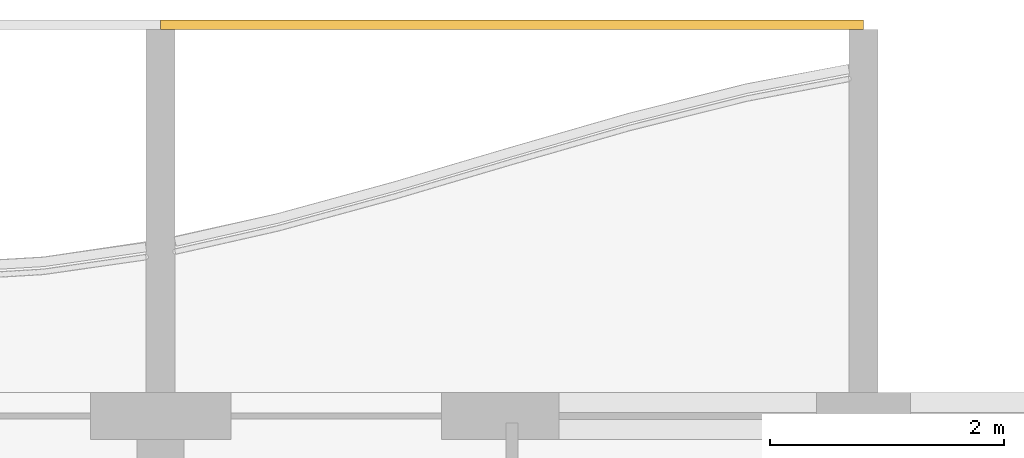
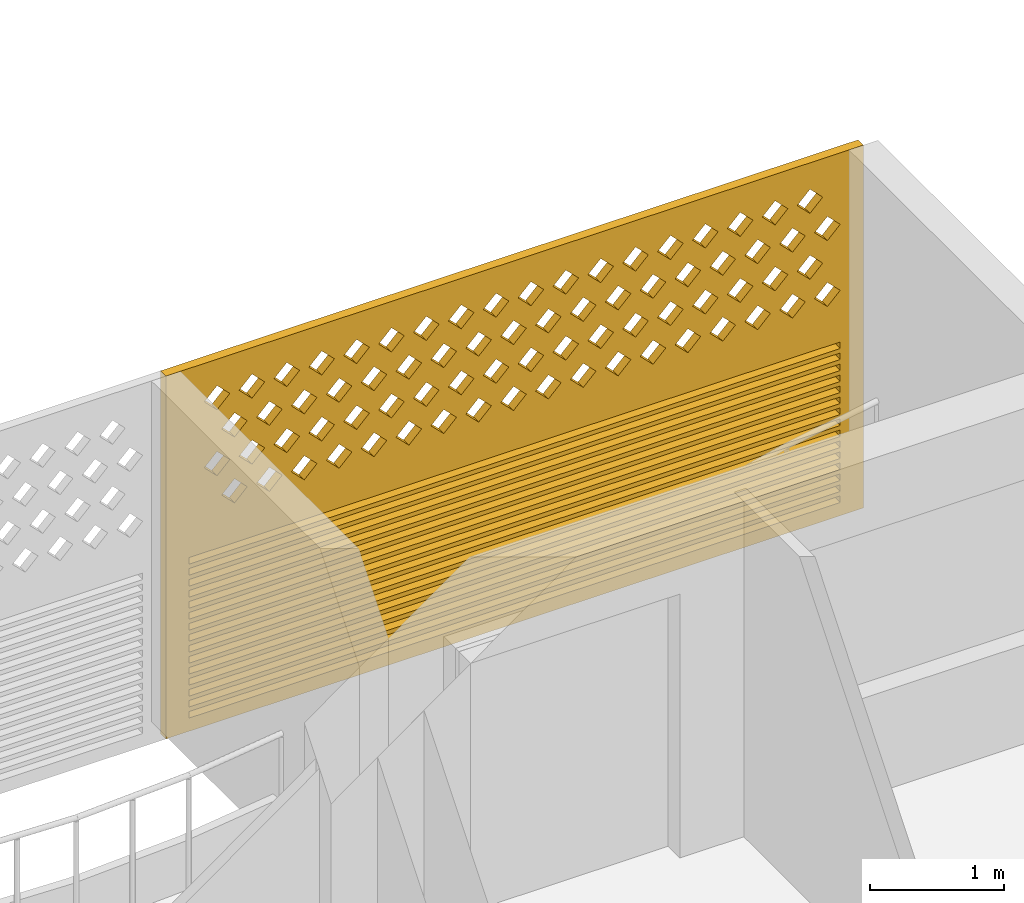
# One storey, part 34 of 38: 1 covering.
"""IFC4 building model written with IfcOpenShell, lengths in metres."""

from ifc_helpers import new_model, si_unit, direction, frame, origin, place, context, subcontext, project, spatial, polyline, outline, extrude, source, transform, mapped, material, material_profile, profile_set, type_object, element, save


model = new_model("IFC4")

# Units and contexts
model_context = context("Model", 3, precision=1e-05, world=origin(), true_north=direction((0.0, 1.0)))
body_context = subcontext(model_context, "Body", "Model", "MODEL_VIEW")
ifc_project = project(units=[si_unit("LENGTHUNIT", "METRE"), si_unit("AREAUNIT", "SQUARE_METRE"), si_unit("VOLUMEUNIT", "CUBIC_METRE"), si_unit("PLANEANGLEUNIT", "RADIAN"), si_unit("MASSUNIT", "GRAM", prefix="KILO")], contexts=[model_context])

# Site, building, storey
site_placement = place(None, origin())
site = spatial("IfcSite", under=ifc_project, at=site_placement, CompositionType="ELEMENT")
building_placement = place(site_placement, origin())
building = spatial("IfcBuilding", under=site, at=building_placement, Name="Poui Terraces", CompositionType="ELEMENT")
storey_placement = place(building_placement, frame((0.0, 0.0, 43.199951171875)))
storey = spatial("IfcBuildingStorey", under=building, at=storey_placement, Name="L11", CompositionType="ELEMENT", Elevation=43.199951171875)

# Covering
ifc_material = material(Name="Terracotta screen", Category="masonry")
ifc_material_profile = material_profile(ifc_material, outline(polyline([(-3.0, -1.64990234375), (3.0, -1.64990234375), (3.0, 1.64990234375), (-3.0, 1.64990234375), (-3.0, -1.64990234375)]), holes=[polyline([(-2.800048828125, 0.39990234375), (-2.68994140625, 0.2900390625), (-2.580078125, 0.39990234375), (-2.68994140625, 0.510009765625), (-2.800048828125, 0.39990234375)]), polyline([(-2.5, 0.39990234375), (-2.389892578125, 0.2900390625), (-2.280029296875, 0.39990234375), (-2.389892578125, 0.510009765625), (-2.5, 0.39990234375)]), polyline([(-2.199951171875, 0.39990234375), (-2.090087890625, 0.2900390625), (-1.97998046875, 0.39990234375), (-2.090087890625, 0.510009765625), (-2.199951171875, 0.39990234375)]), polyline([(-1.89990234375, 0.39990234375), (-1.7900390625, 0.2900390625), (-1.679931640625, 0.39990234375), (-1.7900390625, 0.510009765625), (-1.89990234375, 0.39990234375)]), polyline([(-1.60009765625, 0.39990234375), (-1.489990234375, 0.2900390625), (-1.3798828125, 0.39990234375), (-1.489990234375, 0.510009765625), (-1.60009765625, 0.39990234375)]), polyline([(-1.300048828125, 0.39990234375), (-1.18994140625, 0.2900390625), (-1.080078125, 0.39990234375), (-1.18994140625, 0.510009765625), (-1.300048828125, 0.39990234375)]), polyline([(-1.0, 0.39990234375), (-0.889892578125, 0.2900390625), (-0.780029296875, 0.39990234375), (-0.889892578125, 0.510009765625), (-1.0, 0.39990234375)]), polyline([(-0.699951171875, 0.39990234375), (-0.590087890625, 0.2900390625), (-0.47998046875, 0.39990234375), (-0.590087890625, 0.510009765625), (-0.699951171875, 0.39990234375)]), polyline([(-0.39990234375, 0.39990234375), (-0.2900390625, 0.2900390625), (-0.179931640625, 0.39990234375), (-0.2900390625, 0.510009765625), (-0.39990234375, 0.39990234375)]), polyline([(-0.10009765625, 0.39990234375), (0.010009765625, 0.2900390625), (0.1201171875, 0.39990234375), (0.010009765625, 0.510009765625), (-0.10009765625, 0.39990234375)]), polyline([(0.199951171875, 0.39990234375), (0.31005859375, 0.2900390625), (0.419921875, 0.39990234375), (0.31005859375, 0.510009765625), (0.199951171875, 0.39990234375)]), polyline([(0.5, 0.39990234375), (0.610107421875, 0.2900390625), (0.719970703125, 0.39990234375), (0.610107421875, 0.510009765625), (0.5, 0.39990234375)]), polyline([(0.800048828125, 0.39990234375), (0.909912109375, 0.2900390625), (1.02001953125, 0.39990234375), (0.909912109375, 0.510009765625), (0.800048828125, 0.39990234375)]), polyline([(1.10009765625, 0.39990234375), (1.2099609375, 0.2900390625), (1.320068359375, 0.39990234375), (1.2099609375, 0.510009765625), (1.10009765625, 0.39990234375)]), polyline([(1.39990234375, 0.39990234375), (1.510009765625, 0.2900390625), (1.6201171875, 0.39990234375), (1.510009765625, 0.510009765625), (1.39990234375, 0.39990234375)]), polyline([(1.699951171875, 0.39990234375), (1.81005859375, 0.2900390625), (1.919921875, 0.39990234375), (1.81005859375, 0.510009765625), (1.699951171875, 0.39990234375)]), polyline([(2.0, 0.39990234375), (2.110107421875, 0.2900390625), (2.219970703125, 0.39990234375), (2.110107421875, 0.510009765625), (2.0, 0.39990234375)]), polyline([(2.300048828125, 0.39990234375), (2.409912109375, 0.2900390625), (2.52001953125, 0.39990234375), (2.409912109375, 0.510009765625), (2.300048828125, 0.39990234375)]), polyline([(-2.64990234375, 0.699951171875), (-2.5400390625, 0.590087890625), (-2.429931640625, 0.699951171875), (-2.5400390625, 0.81005859375), (-2.64990234375, 0.699951171875)]), polyline([(-2.35009765625, 0.699951171875), (-2.239990234375, 0.590087890625), (-2.1298828125, 0.699951171875), (-2.239990234375, 0.81005859375), (-2.35009765625, 0.699951171875)]), polyline([(-2.050048828125, 0.699951171875), (-1.93994140625, 0.590087890625), (-1.830078125, 0.699951171875), (-1.93994140625, 0.81005859375), (-2.050048828125, 0.699951171875)]), polyline([(-1.75, 0.699951171875), (-1.639892578125, 0.590087890625), (-1.530029296875, 0.699951171875), (-1.639892578125, 0.81005859375), (-1.75, 0.699951171875)]), polyline([(-1.449951171875, 0.699951171875), (-1.340087890625, 0.590087890625), (-1.22998046875, 0.699951171875), (-1.340087890625, 0.81005859375), (-1.449951171875, 0.699951171875)]), polyline([(-1.14990234375, 0.699951171875), (-1.0400390625, 0.590087890625), (-0.929931640625, 0.699951171875), (-1.0400390625, 0.81005859375), (-1.14990234375, 0.699951171875)]), polyline([(-0.85009765625, 0.699951171875), (-0.739990234375, 0.590087890625), (-0.6298828125, 0.699951171875), (-0.739990234375, 0.81005859375), (-0.85009765625, 0.699951171875)]), polyline([(-0.550048828125, 0.699951171875), (-0.43994140625, 0.590087890625), (-0.330078125, 0.699951171875), (-0.43994140625, 0.81005859375), (-0.550048828125, 0.699951171875)]), polyline([(-0.25, 0.699951171875), (-0.139892578125, 0.590087890625), (-0.030029296875, 0.699951171875), (-0.139892578125, 0.81005859375), (-0.25, 0.699951171875)]), polyline([(0.050048828125, 0.699951171875), (0.159912109375, 0.590087890625), (0.27001953125, 0.699951171875), (0.159912109375, 0.81005859375), (0.050048828125, 0.699951171875)]), polyline([(0.35009765625, 0.699951171875), (0.4599609375, 0.590087890625), (0.570068359375, 0.699951171875), (0.4599609375, 0.81005859375), (0.35009765625, 0.699951171875)]), polyline([(0.64990234375, 0.699951171875), (0.760009765625, 0.590087890625), (0.8701171875, 0.699951171875), (0.760009765625, 0.81005859375), (0.64990234375, 0.699951171875)]), polyline([(0.949951171875, 0.699951171875), (1.06005859375, 0.590087890625), (1.169921875, 0.699951171875), (1.06005859375, 0.81005859375), (0.949951171875, 0.699951171875)]), polyline([(1.25, 0.699951171875), (1.360107421875, 0.590087890625), (1.469970703125, 0.699951171875), (1.360107421875, 0.81005859375), (1.25, 0.699951171875)]), polyline([(1.550048828125, 0.699951171875), (1.659912109375, 0.590087890625), (1.77001953125, 0.699951171875), (1.659912109375, 0.81005859375), (1.550048828125, 0.699951171875)]), polyline([(1.85009765625, 0.699951171875), (1.9599609375, 0.590087890625), (2.070068359375, 0.699951171875), (1.9599609375, 0.81005859375), (1.85009765625, 0.699951171875)]), polyline([(2.14990234375, 0.699951171875), (2.260009765625, 0.590087890625), (2.3701171875, 0.699951171875), (2.260009765625, 0.81005859375), (2.14990234375, 0.699951171875)]), polyline([(2.449951171875, 0.699951171875), (2.56005859375, 0.590087890625), (2.669921875, 0.699951171875), (2.56005859375, 0.81005859375), (2.449951171875, 0.699951171875)]), polyline([(-2.800048828125, 1.0), (-2.68994140625, 0.889892578125), (-2.580078125, 1.0), (-2.68994140625, 1.110107421875), (-2.800048828125, 1.0)]), polyline([(-2.5, 1.0), (-2.389892578125, 0.889892578125), (-2.280029296875, 1.0), (-2.389892578125, 1.110107421875), (-2.5, 1.0)]), polyline([(-2.199951171875, 1.0), (-2.090087890625, 0.889892578125), (-1.97998046875, 1.0), (-2.090087890625, 1.110107421875), (-2.199951171875, 1.0)]), polyline([(-1.89990234375, 1.0), (-1.7900390625, 0.889892578125), (-1.679931640625, 1.0), (-1.7900390625, 1.110107421875), (-1.89990234375, 1.0)]), polyline([(-1.60009765625, 1.0), (-1.489990234375, 0.889892578125), (-1.3798828125, 1.0), (-1.489990234375, 1.110107421875), (-1.60009765625, 1.0)]), polyline([(-1.300048828125, 1.0), (-1.18994140625, 0.889892578125), (-1.080078125, 1.0), (-1.18994140625, 1.110107421875), (-1.300048828125, 1.0)]), polyline([(-1.0, 1.0), (-0.889892578125, 0.889892578125), (-0.780029296875, 1.0), (-0.889892578125, 1.110107421875), (-1.0, 1.0)]), polyline([(-0.699951171875, 1.0), (-0.590087890625, 0.889892578125), (-0.47998046875, 1.0), (-0.590087890625, 1.110107421875), (-0.699951171875, 1.0)]), polyline([(-0.39990234375, 1.0), (-0.2900390625, 0.889892578125), (-0.179931640625, 1.0), (-0.2900390625, 1.110107421875), (-0.39990234375, 1.0)]), polyline([(-0.10009765625, 1.0), (0.010009765625, 0.889892578125), (0.1201171875, 1.0), (0.010009765625, 1.110107421875), (-0.10009765625, 1.0)]), polyline([(0.199951171875, 1.0), (0.31005859375, 0.889892578125), (0.419921875, 1.0), (0.31005859375, 1.110107421875), (0.199951171875, 1.0)]), polyline([(0.5, 1.0), (0.610107421875, 0.889892578125), (0.719970703125, 1.0), (0.610107421875, 1.110107421875), (0.5, 1.0)]), polyline([(0.800048828125, 1.0), (0.909912109375, 0.889892578125), (1.02001953125, 1.0), (0.909912109375, 1.110107421875), (0.800048828125, 1.0)]), polyline([(1.10009765625, 1.0), (1.2099609375, 0.889892578125), (1.320068359375, 1.0), (1.2099609375, 1.110107421875), (1.10009765625, 1.0)]), polyline([(1.39990234375, 1.0), (1.510009765625, 0.889892578125), (1.6201171875, 1.0), (1.510009765625, 1.110107421875), (1.39990234375, 1.0)]), polyline([(1.699951171875, 1.0), (1.81005859375, 0.889892578125), (1.919921875, 1.0), (1.81005859375, 1.110107421875), (1.699951171875, 1.0)]), polyline([(2.0, 1.0), (2.110107421875, 0.889892578125), (2.219970703125, 1.0), (2.110107421875, 1.110107421875), (2.0, 1.0)]), polyline([(2.300048828125, 1.0), (2.409912109375, 0.889892578125), (2.52001953125, 1.0), (2.409912109375, 1.110107421875), (2.300048828125, 1.0)]), polyline([(-2.64990234375, 1.300048828125), (-2.5400390625, 1.18994140625), (-2.429931640625, 1.300048828125), (-2.5400390625, 1.409912109375), (-2.64990234375, 1.300048828125)]), polyline([(-2.35009765625, 1.300048828125), (-2.239990234375, 1.18994140625), (-2.1298828125, 1.300048828125), (-2.239990234375, 1.409912109375), (-2.35009765625, 1.300048828125)]), polyline([(-2.050048828125, 1.300048828125), (-1.93994140625, 1.18994140625), (-1.830078125, 1.300048828125), (-1.93994140625, 1.409912109375), (-2.050048828125, 1.300048828125)]), polyline([(-1.75, 1.300048828125), (-1.639892578125, 1.18994140625), (-1.530029296875, 1.300048828125), (-1.639892578125, 1.409912109375), (-1.75, 1.300048828125)]), polyline([(-1.449951171875, 1.300048828125), (-1.340087890625, 1.18994140625), (-1.22998046875, 1.300048828125), (-1.340087890625, 1.409912109375), (-1.449951171875, 1.300048828125)]), polyline([(-1.14990234375, 1.300048828125), (-1.0400390625, 1.18994140625), (-0.929931640625, 1.300048828125), (-1.0400390625, 1.409912109375), (-1.14990234375, 1.300048828125)]), polyline([(-0.85009765625, 1.300048828125), (-0.739990234375, 1.18994140625), (-0.6298828125, 1.300048828125), (-0.739990234375, 1.409912109375), (-0.85009765625, 1.300048828125)]), polyline([(-0.550048828125, 1.300048828125), (-0.43994140625, 1.18994140625), (-0.330078125, 1.300048828125), (-0.43994140625, 1.409912109375), (-0.550048828125, 1.300048828125)]), polyline([(-0.25, 1.300048828125), (-0.139892578125, 1.18994140625), (-0.030029296875, 1.300048828125), (-0.139892578125, 1.409912109375), (-0.25, 1.300048828125)]), polyline([(0.050048828125, 1.300048828125), (0.159912109375, 1.18994140625), (0.27001953125, 1.300048828125), (0.159912109375, 1.409912109375), (0.050048828125, 1.300048828125)]), polyline([(0.35009765625, 1.300048828125), (0.4599609375, 1.18994140625), (0.570068359375, 1.300048828125), (0.4599609375, 1.409912109375), (0.35009765625, 1.300048828125)]), polyline([(0.64990234375, 1.300048828125), (0.760009765625, 1.18994140625), (0.8701171875, 1.300048828125), (0.760009765625, 1.409912109375), (0.64990234375, 1.300048828125)]), polyline([(0.949951171875, 1.300048828125), (1.06005859375, 1.18994140625), (1.169921875, 1.300048828125), (1.06005859375, 1.409912109375), (0.949951171875, 1.300048828125)]), polyline([(1.25, 1.300048828125), (1.360107421875, 1.18994140625), (1.469970703125, 1.300048828125), (1.360107421875, 1.409912109375), (1.25, 1.300048828125)]), polyline([(1.550048828125, 1.300048828125), (1.659912109375, 1.18994140625), (1.77001953125, 1.300048828125), (1.659912109375, 1.409912109375), (1.550048828125, 1.300048828125)]), polyline([(1.85009765625, 1.300048828125), (1.9599609375, 1.18994140625), (2.070068359375, 1.300048828125), (1.9599609375, 1.409912109375), (1.85009765625, 1.300048828125)]), polyline([(2.14990234375, 1.300048828125), (2.260009765625, 1.18994140625), (2.3701171875, 1.300048828125), (2.260009765625, 1.409912109375), (2.14990234375, 1.300048828125)]), polyline([(2.449951171875, 1.300048828125), (2.56005859375, 1.18994140625), (2.669921875, 1.300048828125), (2.56005859375, 1.409912109375), (2.449951171875, 1.300048828125)]), polyline([(-2.800048828125, -1.530029296875), (2.800048828125, -1.530029296875), (2.800048828125, -1.469970703125), (-2.800048828125, -1.469970703125), (-2.800048828125, -1.530029296875)]), polyline([(-2.800048828125, -1.429931640625), (2.800048828125, -1.429931640625), (2.800048828125, -1.3701171875), (-2.800048828125, -1.3701171875), (-2.800048828125, -1.429931640625)]), polyline([(-2.800048828125, -1.330078125), (2.800048828125, -1.330078125), (2.800048828125, -1.27001953125), (-2.800048828125, -1.27001953125), (-2.800048828125, -1.330078125)]), polyline([(-2.800048828125, -1.22998046875), (2.800048828125, -1.22998046875), (2.800048828125, -1.169921875), (-2.800048828125, -1.169921875), (-2.800048828125, -1.22998046875)]), polyline([(-2.800048828125, -1.1298828125), (2.800048828125, -1.1298828125), (2.800048828125, -1.070068359375), (-2.800048828125, -1.070068359375), (-2.800048828125, -1.1298828125)]), polyline([(-2.800048828125, -1.030029296875), (2.800048828125, -1.030029296875), (2.800048828125, -0.969970703125), (-2.800048828125, -0.969970703125), (-2.800048828125, -1.030029296875)]), polyline([(-2.800048828125, -0.929931640625), (2.800048828125, -0.929931640625), (2.800048828125, -0.8701171875), (-2.800048828125, -0.8701171875), (-2.800048828125, -0.929931640625)]), polyline([(-2.800048828125, -0.830078125), (2.800048828125, -0.830078125), (2.800048828125, -0.77001953125), (-2.800048828125, -0.77001953125), (-2.800048828125, -0.830078125)]), polyline([(-2.800048828125, -0.72998046875), (2.800048828125, -0.72998046875), (2.800048828125, -0.669921875), (-2.800048828125, -0.669921875), (-2.800048828125, -0.72998046875)]), polyline([(-2.800048828125, -0.6298828125), (2.800048828125, -0.6298828125), (2.800048828125, -0.570068359375), (-2.800048828125, -0.570068359375), (-2.800048828125, -0.6298828125)]), polyline([(-2.800048828125, -0.530029296875), (2.800048828125, -0.530029296875), (2.800048828125, -0.469970703125), (-2.800048828125, -0.469970703125), (-2.800048828125, -0.530029296875)]), polyline([(-2.800048828125, -0.429931640625), (2.800048828125, -0.429931640625), (2.800048828125, -0.3701171875), (-2.800048828125, -0.3701171875), (-2.800048828125, -0.429931640625)]), polyline([(-2.800048828125, -0.330078125), (2.800048828125, -0.330078125), (2.800048828125, -0.27001953125), (-2.800048828125, -0.27001953125), (-2.800048828125, -0.330078125)]), polyline([(-2.800048828125, -0.22998046875), (2.800048828125, -0.22998046875), (2.800048828125, -0.169921875), (-2.800048828125, -0.169921875), (-2.800048828125, -0.22998046875)]), polyline([(-2.800048828125, -0.1298828125), (2.800048828125, -0.1298828125), (2.800048828125, -0.070068359375), (-2.800048828125, -0.070068359375), (-2.800048828125, -0.1298828125)])]), Name="TERRACOTTA SCREEN AND JALOUSIE LOUVRE 6000X3300")
ifc_profile_set = profile_set([ifc_material_profile], Name="Terracotta screen")
covering_type = type_object("IfcCoveringType", Name="TERRACOTTA SCREEN AND JALOUSIE LOUVRE 6000X3300", PredefinedType="CLADDING", material=ifc_profile_set)
shared_shape = source(origin(), body_context, "Body", "SweptSolid", [
    extrude(outline(polyline([(-3.0, -1.64990234375), (3.0, -1.64990234375), (3.0, 1.64990234375), (-3.0, 1.64990234375), (-3.0, -1.64990234375)]), holes=[polyline([(-2.800048828125, 0.39990234375), (-2.68994140625, 0.2900390625), (-2.580078125, 0.39990234375), (-2.68994140625, 0.510009765625), (-2.800048828125, 0.39990234375)]), polyline([(-2.5, 0.39990234375), (-2.389892578125, 0.2900390625), (-2.280029296875, 0.39990234375), (-2.389892578125, 0.510009765625), (-2.5, 0.39990234375)]), polyline([(-2.199951171875, 0.39990234375), (-2.090087890625, 0.2900390625), (-1.97998046875, 0.39990234375), (-2.090087890625, 0.510009765625), (-2.199951171875, 0.39990234375)]), polyline([(-1.89990234375, 0.39990234375), (-1.7900390625, 0.2900390625), (-1.679931640625, 0.39990234375), (-1.7900390625, 0.510009765625), (-1.89990234375, 0.39990234375)]), polyline([(-1.60009765625, 0.39990234375), (-1.489990234375, 0.2900390625), (-1.3798828125, 0.39990234375), (-1.489990234375, 0.510009765625), (-1.60009765625, 0.39990234375)]), polyline([(-1.300048828125, 0.39990234375), (-1.18994140625, 0.2900390625), (-1.080078125, 0.39990234375), (-1.18994140625, 0.510009765625), (-1.300048828125, 0.39990234375)]), polyline([(-1.0, 0.39990234375), (-0.889892578125, 0.2900390625), (-0.780029296875, 0.39990234375), (-0.889892578125, 0.510009765625), (-1.0, 0.39990234375)]), polyline([(-0.699951171875, 0.39990234375), (-0.590087890625, 0.2900390625), (-0.47998046875, 0.39990234375), (-0.590087890625, 0.510009765625), (-0.699951171875, 0.39990234375)]), polyline([(-0.39990234375, 0.39990234375), (-0.2900390625, 0.2900390625), (-0.179931640625, 0.39990234375), (-0.2900390625, 0.510009765625), (-0.39990234375, 0.39990234375)]), polyline([(-0.10009765625, 0.39990234375), (0.010009765625, 0.2900390625), (0.1201171875, 0.39990234375), (0.010009765625, 0.510009765625), (-0.10009765625, 0.39990234375)]), polyline([(0.199951171875, 0.39990234375), (0.31005859375, 0.2900390625), (0.419921875, 0.39990234375), (0.31005859375, 0.510009765625), (0.199951171875, 0.39990234375)]), polyline([(0.5, 0.39990234375), (0.610107421875, 0.2900390625), (0.719970703125, 0.39990234375), (0.610107421875, 0.510009765625), (0.5, 0.39990234375)]), polyline([(0.800048828125, 0.39990234375), (0.909912109375, 0.2900390625), (1.02001953125, 0.39990234375), (0.909912109375, 0.510009765625), (0.800048828125, 0.39990234375)]), polyline([(1.10009765625, 0.39990234375), (1.2099609375, 0.2900390625), (1.320068359375, 0.39990234375), (1.2099609375, 0.510009765625), (1.10009765625, 0.39990234375)]), polyline([(1.39990234375, 0.39990234375), (1.510009765625, 0.2900390625), (1.6201171875, 0.39990234375), (1.510009765625, 0.510009765625), (1.39990234375, 0.39990234375)]), polyline([(1.699951171875, 0.39990234375), (1.81005859375, 0.2900390625), (1.919921875, 0.39990234375), (1.81005859375, 0.510009765625), (1.699951171875, 0.39990234375)]), polyline([(2.0, 0.39990234375), (2.110107421875, 0.2900390625), (2.219970703125, 0.39990234375), (2.110107421875, 0.510009765625), (2.0, 0.39990234375)]), polyline([(2.300048828125, 0.39990234375), (2.409912109375, 0.2900390625), (2.52001953125, 0.39990234375), (2.409912109375, 0.510009765625), (2.300048828125, 0.39990234375)]), polyline([(-2.64990234375, 0.699951171875), (-2.5400390625, 0.590087890625), (-2.429931640625, 0.699951171875), (-2.5400390625, 0.81005859375), (-2.64990234375, 0.699951171875)]), polyline([(-2.35009765625, 0.699951171875), (-2.239990234375, 0.590087890625), (-2.1298828125, 0.699951171875), (-2.239990234375, 0.81005859375), (-2.35009765625, 0.699951171875)]), polyline([(-2.050048828125, 0.699951171875), (-1.93994140625, 0.590087890625), (-1.830078125, 0.699951171875), (-1.93994140625, 0.81005859375), (-2.050048828125, 0.699951171875)]), polyline([(-1.75, 0.699951171875), (-1.639892578125, 0.590087890625), (-1.530029296875, 0.699951171875), (-1.639892578125, 0.81005859375), (-1.75, 0.699951171875)]), polyline([(-1.449951171875, 0.699951171875), (-1.340087890625, 0.590087890625), (-1.22998046875, 0.699951171875), (-1.340087890625, 0.81005859375), (-1.449951171875, 0.699951171875)]), polyline([(-1.14990234375, 0.699951171875), (-1.0400390625, 0.590087890625), (-0.929931640625, 0.699951171875), (-1.0400390625, 0.81005859375), (-1.14990234375, 0.699951171875)]), polyline([(-0.85009765625, 0.699951171875), (-0.739990234375, 0.590087890625), (-0.6298828125, 0.699951171875), (-0.739990234375, 0.81005859375), (-0.85009765625, 0.699951171875)]), polyline([(-0.550048828125, 0.699951171875), (-0.43994140625, 0.590087890625), (-0.330078125, 0.699951171875), (-0.43994140625, 0.81005859375), (-0.550048828125, 0.699951171875)]), polyline([(-0.25, 0.699951171875), (-0.139892578125, 0.590087890625), (-0.030029296875, 0.699951171875), (-0.139892578125, 0.81005859375), (-0.25, 0.699951171875)]), polyline([(0.050048828125, 0.699951171875), (0.159912109375, 0.590087890625), (0.27001953125, 0.699951171875), (0.159912109375, 0.81005859375), (0.050048828125, 0.699951171875)]), polyline([(0.35009765625, 0.699951171875), (0.4599609375, 0.590087890625), (0.570068359375, 0.699951171875), (0.4599609375, 0.81005859375), (0.35009765625, 0.699951171875)]), polyline([(0.64990234375, 0.699951171875), (0.760009765625, 0.590087890625), (0.8701171875, 0.699951171875), (0.760009765625, 0.81005859375), (0.64990234375, 0.699951171875)]), polyline([(0.949951171875, 0.699951171875), (1.06005859375, 0.590087890625), (1.169921875, 0.699951171875), (1.06005859375, 0.81005859375), (0.949951171875, 0.699951171875)]), polyline([(1.25, 0.699951171875), (1.360107421875, 0.590087890625), (1.469970703125, 0.699951171875), (1.360107421875, 0.81005859375), (1.25, 0.699951171875)]), polyline([(1.550048828125, 0.699951171875), (1.659912109375, 0.590087890625), (1.77001953125, 0.699951171875), (1.659912109375, 0.81005859375), (1.550048828125, 0.699951171875)]), polyline([(1.85009765625, 0.699951171875), (1.9599609375, 0.590087890625), (2.070068359375, 0.699951171875), (1.9599609375, 0.81005859375), (1.85009765625, 0.699951171875)]), polyline([(2.14990234375, 0.699951171875), (2.260009765625, 0.590087890625), (2.3701171875, 0.699951171875), (2.260009765625, 0.81005859375), (2.14990234375, 0.699951171875)]), polyline([(2.449951171875, 0.699951171875), (2.56005859375, 0.590087890625), (2.669921875, 0.699951171875), (2.56005859375, 0.81005859375), (2.449951171875, 0.699951171875)]), polyline([(-2.800048828125, 1.0), (-2.68994140625, 0.889892578125), (-2.580078125, 1.0), (-2.68994140625, 1.110107421875), (-2.800048828125, 1.0)]), polyline([(-2.5, 1.0), (-2.389892578125, 0.889892578125), (-2.280029296875, 1.0), (-2.389892578125, 1.110107421875), (-2.5, 1.0)]), polyline([(-2.199951171875, 1.0), (-2.090087890625, 0.889892578125), (-1.97998046875, 1.0), (-2.090087890625, 1.110107421875), (-2.199951171875, 1.0)]), polyline([(-1.89990234375, 1.0), (-1.7900390625, 0.889892578125), (-1.679931640625, 1.0), (-1.7900390625, 1.110107421875), (-1.89990234375, 1.0)]), polyline([(-1.60009765625, 1.0), (-1.489990234375, 0.889892578125), (-1.3798828125, 1.0), (-1.489990234375, 1.110107421875), (-1.60009765625, 1.0)]), polyline([(-1.300048828125, 1.0), (-1.18994140625, 0.889892578125), (-1.080078125, 1.0), (-1.18994140625, 1.110107421875), (-1.300048828125, 1.0)]), polyline([(-1.0, 1.0), (-0.889892578125, 0.889892578125), (-0.780029296875, 1.0), (-0.889892578125, 1.110107421875), (-1.0, 1.0)]), polyline([(-0.699951171875, 1.0), (-0.590087890625, 0.889892578125), (-0.47998046875, 1.0), (-0.590087890625, 1.110107421875), (-0.699951171875, 1.0)]), polyline([(-0.39990234375, 1.0), (-0.2900390625, 0.889892578125), (-0.179931640625, 1.0), (-0.2900390625, 1.110107421875), (-0.39990234375, 1.0)]), polyline([(-0.10009765625, 1.0), (0.010009765625, 0.889892578125), (0.1201171875, 1.0), (0.010009765625, 1.110107421875), (-0.10009765625, 1.0)]), polyline([(0.199951171875, 1.0), (0.31005859375, 0.889892578125), (0.419921875, 1.0), (0.31005859375, 1.110107421875), (0.199951171875, 1.0)]), polyline([(0.5, 1.0), (0.610107421875, 0.889892578125), (0.719970703125, 1.0), (0.610107421875, 1.110107421875), (0.5, 1.0)]), polyline([(0.800048828125, 1.0), (0.909912109375, 0.889892578125), (1.02001953125, 1.0), (0.909912109375, 1.110107421875), (0.800048828125, 1.0)]), polyline([(1.10009765625, 1.0), (1.2099609375, 0.889892578125), (1.320068359375, 1.0), (1.2099609375, 1.110107421875), (1.10009765625, 1.0)]), polyline([(1.39990234375, 1.0), (1.510009765625, 0.889892578125), (1.6201171875, 1.0), (1.510009765625, 1.110107421875), (1.39990234375, 1.0)]), polyline([(1.699951171875, 1.0), (1.81005859375, 0.889892578125), (1.919921875, 1.0), (1.81005859375, 1.110107421875), (1.699951171875, 1.0)]), polyline([(2.0, 1.0), (2.110107421875, 0.889892578125), (2.219970703125, 1.0), (2.110107421875, 1.110107421875), (2.0, 1.0)]), polyline([(2.300048828125, 1.0), (2.409912109375, 0.889892578125), (2.52001953125, 1.0), (2.409912109375, 1.110107421875), (2.300048828125, 1.0)]), polyline([(-2.64990234375, 1.300048828125), (-2.5400390625, 1.18994140625), (-2.429931640625, 1.300048828125), (-2.5400390625, 1.409912109375), (-2.64990234375, 1.300048828125)]), polyline([(-2.35009765625, 1.300048828125), (-2.239990234375, 1.18994140625), (-2.1298828125, 1.300048828125), (-2.239990234375, 1.409912109375), (-2.35009765625, 1.300048828125)]), polyline([(-2.050048828125, 1.300048828125), (-1.93994140625, 1.18994140625), (-1.830078125, 1.300048828125), (-1.93994140625, 1.409912109375), (-2.050048828125, 1.300048828125)]), polyline([(-1.75, 1.300048828125), (-1.639892578125, 1.18994140625), (-1.530029296875, 1.300048828125), (-1.639892578125, 1.409912109375), (-1.75, 1.300048828125)]), polyline([(-1.449951171875, 1.300048828125), (-1.340087890625, 1.18994140625), (-1.22998046875, 1.300048828125), (-1.340087890625, 1.409912109375), (-1.449951171875, 1.300048828125)]), polyline([(-1.14990234375, 1.300048828125), (-1.0400390625, 1.18994140625), (-0.929931640625, 1.300048828125), (-1.0400390625, 1.409912109375), (-1.14990234375, 1.300048828125)]), polyline([(-0.85009765625, 1.300048828125), (-0.739990234375, 1.18994140625), (-0.6298828125, 1.300048828125), (-0.739990234375, 1.409912109375), (-0.85009765625, 1.300048828125)]), polyline([(-0.550048828125, 1.300048828125), (-0.43994140625, 1.18994140625), (-0.330078125, 1.300048828125), (-0.43994140625, 1.409912109375), (-0.550048828125, 1.300048828125)]), polyline([(-0.25, 1.300048828125), (-0.139892578125, 1.18994140625), (-0.030029296875, 1.300048828125), (-0.139892578125, 1.409912109375), (-0.25, 1.300048828125)]), polyline([(0.050048828125, 1.300048828125), (0.159912109375, 1.18994140625), (0.27001953125, 1.300048828125), (0.159912109375, 1.409912109375), (0.050048828125, 1.300048828125)]), polyline([(0.35009765625, 1.300048828125), (0.4599609375, 1.18994140625), (0.570068359375, 1.300048828125), (0.4599609375, 1.409912109375), (0.35009765625, 1.300048828125)]), polyline([(0.64990234375, 1.300048828125), (0.760009765625, 1.18994140625), (0.8701171875, 1.300048828125), (0.760009765625, 1.409912109375), (0.64990234375, 1.300048828125)]), polyline([(0.949951171875, 1.300048828125), (1.06005859375, 1.18994140625), (1.169921875, 1.300048828125), (1.06005859375, 1.409912109375), (0.949951171875, 1.300048828125)]), polyline([(1.25, 1.300048828125), (1.360107421875, 1.18994140625), (1.469970703125, 1.300048828125), (1.360107421875, 1.409912109375), (1.25, 1.300048828125)]), polyline([(1.550048828125, 1.300048828125), (1.659912109375, 1.18994140625), (1.77001953125, 1.300048828125), (1.659912109375, 1.409912109375), (1.550048828125, 1.300048828125)]), polyline([(1.85009765625, 1.300048828125), (1.9599609375, 1.18994140625), (2.070068359375, 1.300048828125), (1.9599609375, 1.409912109375), (1.85009765625, 1.300048828125)]), polyline([(2.14990234375, 1.300048828125), (2.260009765625, 1.18994140625), (2.3701171875, 1.300048828125), (2.260009765625, 1.409912109375), (2.14990234375, 1.300048828125)]), polyline([(2.449951171875, 1.300048828125), (2.56005859375, 1.18994140625), (2.669921875, 1.300048828125), (2.56005859375, 1.409912109375), (2.449951171875, 1.300048828125)]), polyline([(-2.800048828125, -1.530029296875), (2.800048828125, -1.530029296875), (2.800048828125, -1.469970703125), (-2.800048828125, -1.469970703125), (-2.800048828125, -1.530029296875)]), polyline([(-2.800048828125, -1.429931640625), (2.800048828125, -1.429931640625), (2.800048828125, -1.3701171875), (-2.800048828125, -1.3701171875), (-2.800048828125, -1.429931640625)]), polyline([(-2.800048828125, -1.330078125), (2.800048828125, -1.330078125), (2.800048828125, -1.27001953125), (-2.800048828125, -1.27001953125), (-2.800048828125, -1.330078125)]), polyline([(-2.800048828125, -1.22998046875), (2.800048828125, -1.22998046875), (2.800048828125, -1.169921875), (-2.800048828125, -1.169921875), (-2.800048828125, -1.22998046875)]), polyline([(-2.800048828125, -1.1298828125), (2.800048828125, -1.1298828125), (2.800048828125, -1.070068359375), (-2.800048828125, -1.070068359375), (-2.800048828125, -1.1298828125)]), polyline([(-2.800048828125, -1.030029296875), (2.800048828125, -1.030029296875), (2.800048828125, -0.969970703125), (-2.800048828125, -0.969970703125), (-2.800048828125, -1.030029296875)]), polyline([(-2.800048828125, -0.929931640625), (2.800048828125, -0.929931640625), (2.800048828125, -0.8701171875), (-2.800048828125, -0.8701171875), (-2.800048828125, -0.929931640625)]), polyline([(-2.800048828125, -0.830078125), (2.800048828125, -0.830078125), (2.800048828125, -0.77001953125), (-2.800048828125, -0.77001953125), (-2.800048828125, -0.830078125)]), polyline([(-2.800048828125, -0.72998046875), (2.800048828125, -0.72998046875), (2.800048828125, -0.669921875), (-2.800048828125, -0.669921875), (-2.800048828125, -0.72998046875)]), polyline([(-2.800048828125, -0.6298828125), (2.800048828125, -0.6298828125), (2.800048828125, -0.570068359375), (-2.800048828125, -0.570068359375), (-2.800048828125, -0.6298828125)]), polyline([(-2.800048828125, -0.530029296875), (2.800048828125, -0.530029296875), (2.800048828125, -0.469970703125), (-2.800048828125, -0.469970703125), (-2.800048828125, -0.530029296875)]), polyline([(-2.800048828125, -0.429931640625), (2.800048828125, -0.429931640625), (2.800048828125, -0.3701171875), (-2.800048828125, -0.3701171875), (-2.800048828125, -0.429931640625)]), polyline([(-2.800048828125, -0.330078125), (2.800048828125, -0.330078125), (2.800048828125, -0.27001953125), (-2.800048828125, -0.27001953125), (-2.800048828125, -0.330078125)]), polyline([(-2.800048828125, -0.22998046875), (2.800048828125, -0.22998046875), (2.800048828125, -0.169921875), (-2.800048828125, -0.169921875), (-2.800048828125, -0.22998046875)]), polyline([(-2.800048828125, -0.1298828125), (2.800048828125, -0.1298828125), (2.800048828125, -0.070068359375), (-2.800048828125, -0.070068359375), (-2.800048828125, -0.1298828125)])]), origin(), (0.0, 0.0, 1.0), 0.079833984375),
])
covering_placement = place(storey_placement, frame((75.0, 48.10009765625, 1.449951171875), z_axis=(0.0, 1.0, 0.0), x_axis=(-1.0, 0.0, 0.0)))
element("IfcCovering", 1, at=covering_placement, inside=storey, type_object=covering_type, Name="SOLAR SCREEN AND JALOUSIE LOUVRE", PredefinedType="CLADDING", context=body_context, shape_type="MappedRepresentation", body=[
    mapped(shared_shape, transform((0.0, 0.0, 0.0))),
])

save(model, "model.ifc")
